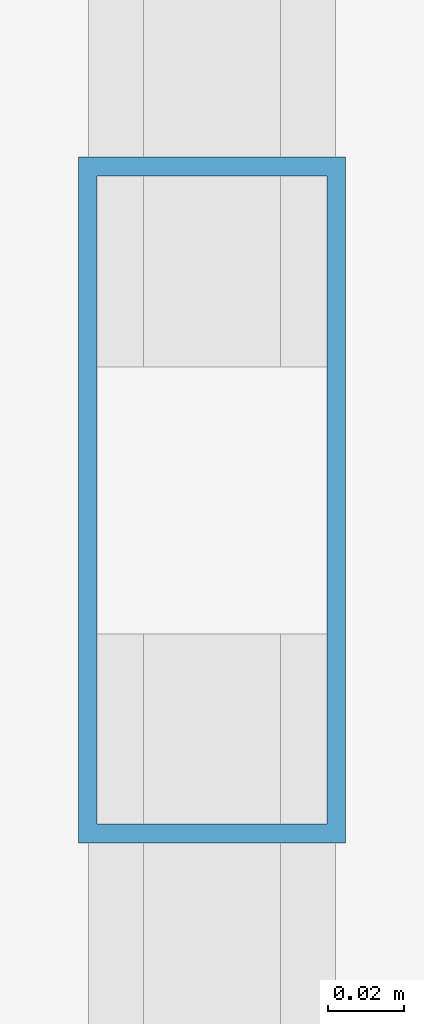
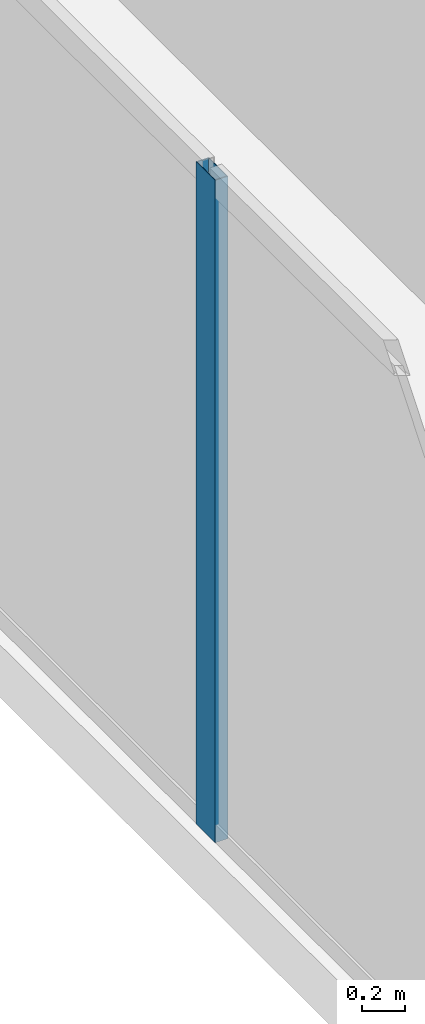
# One storey, part 9 of 33: 1 member, 1 element without a shape of its own.
"""IFC4 building model written with IfcOpenShell, lengths in metres."""

from ifc_helpers import new_model, si_unit, direction, frame, origin, origin_2d, place, context, subcontext, project, spatial, hollow_rectangle, extrude, source, transform, mapped, material, layer, layer_set, material_profile, profile_set, type_object, type_shapes, element, aggregate, save


model = new_model("IFC4")

# Units and contexts
model_context = context("Model", 3, precision=1e-05, world=origin(), true_north=direction((0.0, 1.0)))
body_context = subcontext(model_context, "Body", "Model", "MODEL_VIEW")
ifc_project = project(units=[si_unit("LENGTHUNIT", "METRE"), si_unit("AREAUNIT", "SQUARE_METRE"), si_unit("VOLUMEUNIT", "CUBIC_METRE"), si_unit("PLANEANGLEUNIT", "RADIAN"), si_unit("MASSUNIT", "GRAM", prefix="KILO")], contexts=[model_context])

# Site, building, storey
site_placement = place(None, origin())
site = spatial("IfcSite", under=ifc_project, at=site_placement, CompositionType="ELEMENT")
building_placement = place(site_placement, origin())
building = spatial("IfcBuilding", under=site, at=building_placement, Name="Haelvirn Gate Laboratories", CompositionType="ELEMENT")
storey_placement = place(building_placement, frame((0.0, 0.0, 279.300048828125)))
storey = spatial("IfcBuildingStorey", under=building, at=storey_placement, Name="L67", CompositionType="ELEMENT", Elevation=279.300048828125)

# Curtain wall, member
ifc_material_1 = material(Name="Anodised bronze unitised aluminium & triple low-E glass", Category="aluminium")
ifc_layer = layer(ifc_material_1, 0.176025390625, Name="CW-SYS-4")
ifc_layer_set = layer_set([ifc_layer], Name="Anodised bronze unitised aluminium & triple low-E glass")
curtain_wall_type = type_object("IfcCurtainWallType", Name="CW-SYS-4", PredefinedType="NOTDEFINED", material=ifc_layer_set)
curtain_wall_placement = place(storey_placement, origin())
curtain_wall = element("IfcCurtainWall", 1, at=curtain_wall_placement, inside=storey, type_object=curtain_wall_type, Name="L67 Unitised Curtain Wall CW-L67-P0-E17", PredefinedType="NOTDEFINED")
ifc_material_2 = material(Name="Extruded aluminium 6063-T6 (anodised bronze)", Category="aluminium")
ifc_material_profile = material_profile(ifc_material_2, hollow_rectangle(XDim=0.070068359375, YDim=0.179931640625, WallThickness=0.0048828125, at=origin_2d()), Name="CWM-180x70x5")
ifc_profile_set = profile_set([ifc_material_profile], Name="Extruded aluminium 6063-T6 (anodised bronze)")
member_type = type_object("IfcMemberType", Name="CWM-T180", PredefinedType="MULLION", material=ifc_profile_set)
shared_shape = source(origin(), body_context, "Body", "SweptSolid", [
    extrude(hollow_rectangle(XDim=0.070068359375, YDim=0.179931640625, WallThickness=0.0048828125, at=origin_2d()), origin(), (0.0, 0.0, 1.0), 3.800048828125),
])
type_shapes(member_type, [shared_shape])
member_placement = place(storey_placement, frame((4.10009765625, 24.300048828125, 0.0), z_axis=(0.0, 0.0, 1.0), x_axis=(1.0, 0.0, 0.0)))
member = element("IfcMember", 2, at=member_placement, type_object=member_type, Name="CW4 mullion 2", PredefinedType="MULLION", context=body_context, shape_type="MappedRepresentation", body=[
    mapped(shared_shape, transform((0.0, 0.0, 0.0), scale=1.0)),
])
aggregate(curtain_wall, [member])

save(model, "model.ifc")
